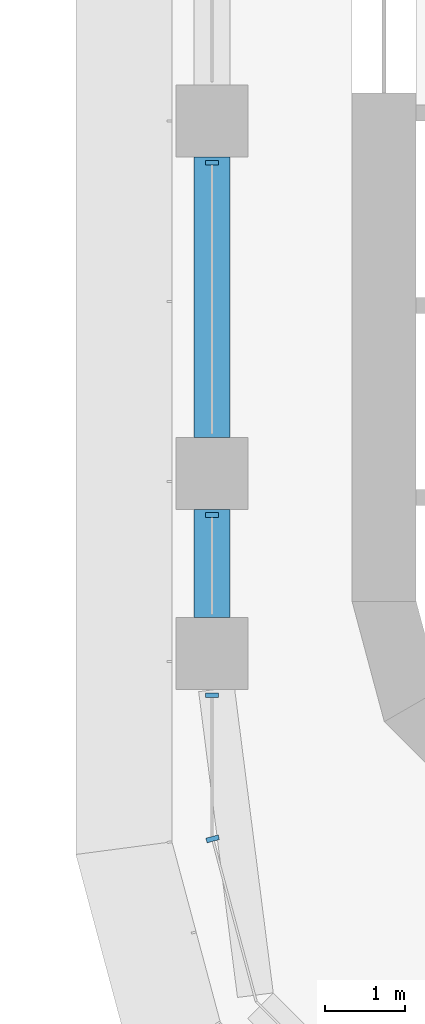
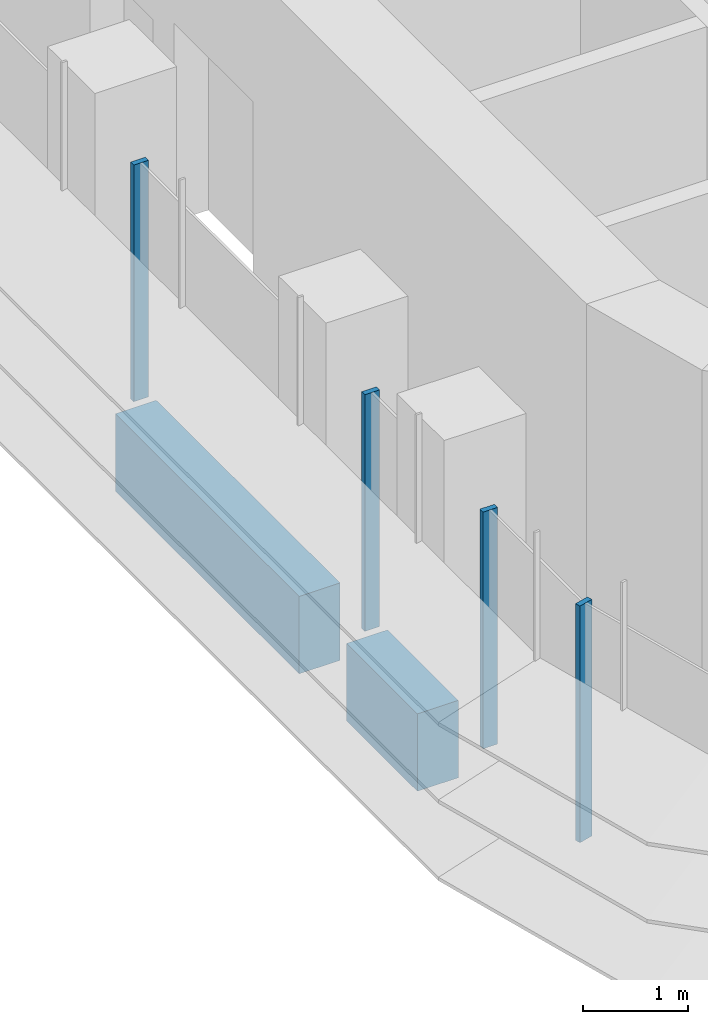
# One storey, part 2 of 21: 4 members, 2 beams, 2 elements without a shape of their own.
"""IFC4 building model written with IfcOpenShell, lengths in metres."""

from ifc_helpers import new_model, si_unit, direction, frame, origin, origin_2d, place, context, subcontext, project, spatial, polyline, rectangle, outline, extrude, source, transform, mapped, material, material_profile, profile_set, type_object, element, aggregate, save


model = new_model("IFC4")

# Units and contexts
model_context = context("Model", 3, precision=1e-05, world=origin(), true_north=direction((0.0, 1.0)))
body_context = subcontext(model_context, "Body", "Model", "MODEL_VIEW")
ifc_project = project(units=[si_unit("LENGTHUNIT", "METRE"), si_unit("AREAUNIT", "SQUARE_METRE"), si_unit("VOLUMEUNIT", "CUBIC_METRE"), si_unit("PLANEANGLEUNIT", "RADIAN"), si_unit("MASSUNIT", "GRAM", prefix="KILO")], contexts=[model_context])

# Site, building, storey
site_placement = place(None, origin())
site = spatial("IfcSite", under=ifc_project, at=site_placement, CompositionType="ELEMENT")
building_placement = place(site_placement, origin())
building = spatial("IfcBuilding", under=site, at=building_placement, Name="Zarbagh Exchange Tower", CompositionType="ELEMENT")
storey_placement = place(building_placement, frame((0.0, 0.0, 128.39990234375)))
storey = spatial("IfcBuildingStorey", under=building, at=storey_placement, Name="L30", CompositionType="ELEMENT", Elevation=128.39990234375)

# Beams
ifc_material_1 = material(Name="Concrete C60/75", Category="concrete")
ifc_material_profile = material_profile(ifc_material_1, rectangle(XDim=0.449951171875, YDim=0.89990234375, at=origin_2d()), Name="RC spandrel beam 450 x 900 C60/75")
ifc_profile_set = profile_set([ifc_material_profile], Name="Concrete C60/75")
beam_type = type_object("IfcBeamType", Name="RC spandrel beam 450 x 900 C60/75", PredefinedType="SPANDREL", material=ifc_profile_set)
beam_1_placement = place(storey_placement, frame((-6.25, -26.449951171875, -0.599853515625), z_axis=(0.0, 1.0, 0.0), x_axis=(-1.0, 0.0, 0.0)))
element("IfcBeam", 1, at=beam_1_placement, inside=storey, type_object=beam_type, Name="RC spandrel beam", PredefinedType="SPANDREL", context=body_context, shape_type="SweptSolid", body=[
    extrude(rectangle(XDim=0.449951171875, YDim=0.89990234375, at=origin_2d()), origin(), (0.0, 0.0, 1.0), 1.349853515625),
])
beam_2_placement = place(storey_placement, frame((-6.25, -24.199951171875, -0.599853515625), z_axis=(0.0, 1.0, 0.0), x_axis=(-1.0, 0.0, 0.0)))
element("IfcBeam", 2, at=beam_2_placement, inside=storey, type_object=beam_type, Name="RC spandrel beam", PredefinedType="SPANDREL", context=body_context, shape_type="SweptSolid", body=[
    extrude(rectangle(XDim=0.449951171875, YDim=0.89990234375, at=origin_2d()), origin(), (0.0, 0.0, 1.0), 3.5),
])

# Curtain wall, members
ifc_material_2 = material(Name="Anodised aluminium frame and glazing", Category="aluminium")
curtain_wall_type = type_object("IfcCurtainWallType", Name="CWA Ribbon glazing, lower zones", PredefinedType="NOTDEFINED", material=ifc_material_2)
curtain_wall_1_placement = place(storey_placement, origin())
curtain_wall_1 = element("IfcCurtainWall", 3, at=curtain_wall_1_placement, inside=storey, type_object=curtain_wall_type, Name="CWA44 curtain wall", PredefinedType="NOTDEFINED")
ifc_material_3 = material(Name="Anodised aluminium frame", Category="aluminium")
member_type = type_object("IfcMemberType", Name="MUA Mullion, anodised aluminium frame", PredefinedType="MULLION", material=ifc_material_3)
shared_shape = source(origin(), body_context, "Body", "SweptSolid", [
    extrude(outline(polyline([(0.0, -0.080078125), (0.06005859375, -0.080078125), (0.06005859375, 0.080078125), (0.0, 0.080078125), (0.0, -0.080078125)])), origin(), (0.0, 0.0, 1.0), 2.75),
])
placement = place(storey_placement, origin())
member_1 = element("IfcMember", 4, at=placement, type_object=member_type, Name="CWA44 mullion 3.1", PredefinedType="MULLION", context=body_context, shape_type="MappedRepresentation", body=[
    mapped(shared_shape, transform((-6.25, -20.739990234375, 0.0), x_axis=(0.0, -1.0, 0.0), y_axis=(1.0, 0.0, 0.0), z_axis=(0.0, 0.0, 1.0))),
])
member_2 = element("IfcMember", 5, at=placement, type_object=member_type, Name="CWA44 mullion 4.1", PredefinedType="MULLION", context=body_context, shape_type="MappedRepresentation", body=[
    mapped(shared_shape, transform((-6.25, -25.14013671875, 0.0), x_axis=(0.0, -1.0, 0.0), y_axis=(1.0, 0.0, 0.0), z_axis=(0.0, 0.0, 1.0))),
])
member_3 = element("IfcMember", 6, at=placement, type_object=member_type, Name="CWA44 mullion 5.1", PredefinedType="MULLION", context=body_context, shape_type="MappedRepresentation", body=[
    mapped(shared_shape, transform((-6.25, -27.39013671875, 0.0), x_axis=(0.0, -1.0, 0.0), y_axis=(1.0, 0.0, 0.0), z_axis=(0.0, 0.0, 1.0))),
])
aggregate(curtain_wall_1, [member_1, member_2, member_3])

# Curtain wall, member
curtain_wall_2_placement = place(storey_placement, origin())
curtain_wall_2 = element("IfcCurtainWall", 7, at=curtain_wall_2_placement, inside=storey, type_object=curtain_wall_type, Name="CWA45 curtain wall", PredefinedType="NOTDEFINED")
member_4 = element("IfcMember", 8, at=placement, type_object=member_type, Name="CWA45 mullion 1.1", PredefinedType="MULLION", context=body_context, shape_type="MappedRepresentation", body=[
    mapped(shared_shape, transform((-6.25, -29.18408203125, 0.0), x_axis=(0.258824779902, -0.965924289636, 0.0), y_axis=(0.965924289636, 0.258824779902, 0.0), z_axis=(0.0, 0.0, 1.0))),
])
aggregate(curtain_wall_2, [member_4])

save(model, "model.ifc")
